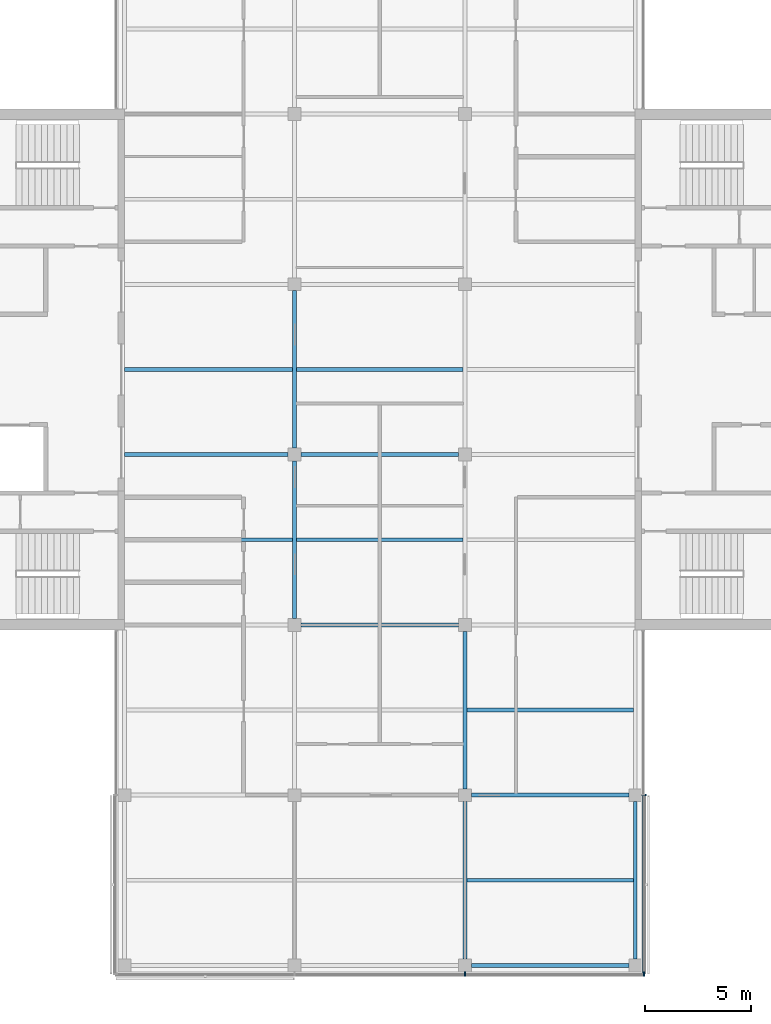
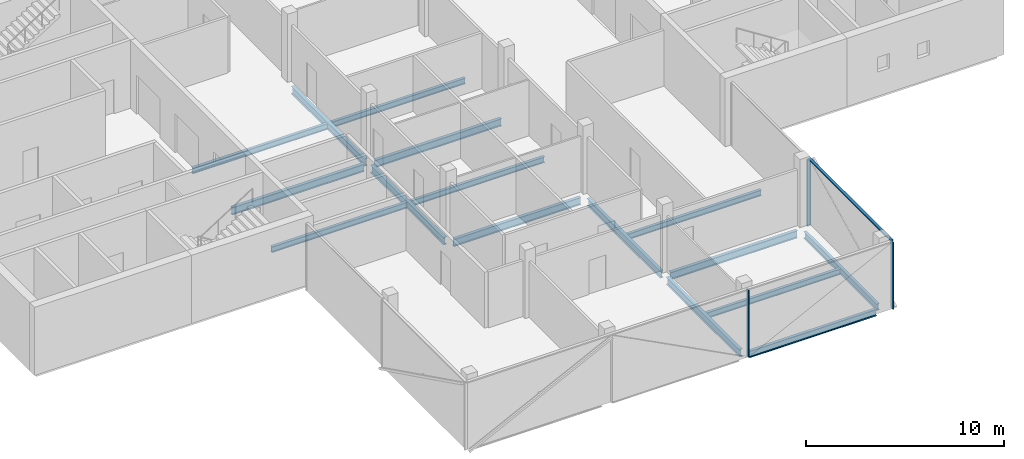
# One storey, part 3 of 16: 16 beams, 4 members, 2 elements without a shape of their own.
"""IFC4 building model written with IfcOpenShell, lengths in metres."""

from ifc_helpers import new_model, si_unit, direction, frame, origin, origin_2d, place, context, subcontext, project, spatial, rectangle, i_section, extrude, material, material_profile, profile_set, type_object, element, aggregate, save


model = new_model("IFC4")

# Units and contexts
model_context = context("Model", 3, precision=1e-05, world=origin(), true_north=direction((0.0, 1.0)))
body_context = subcontext(model_context, "Body", "Model", "MODEL_VIEW")
ifc_project = project(units=[si_unit("LENGTHUNIT", "METRE"), si_unit("AREAUNIT", "SQUARE_METRE"), si_unit("VOLUMEUNIT", "CUBIC_METRE"), si_unit("PLANEANGLEUNIT", "RADIAN"), si_unit("MASSUNIT", "GRAM", prefix="KILO")], contexts=[model_context])

# Site, building, storey
site_placement = place(None, origin())
site = spatial("IfcSite", under=ifc_project, at=site_placement, CompositionType="ELEMENT")
building_placement = place(site_placement, origin())
building = spatial("IfcBuilding", under=site, at=building_placement, Name="Crosswind Convention Tower", CompositionType="ELEMENT")
storey_placement = place(building_placement, frame((0.0, 0.0, 340.699951171875)))
storey = spatial("IfcBuildingStorey", under=building, at=storey_placement, Name="L74", CompositionType="ELEMENT", Elevation=340.699951171875)

# Beams
ifc_material_1 = material(Name="Steel S355", Category="steel")
ifc_material_profile_1 = material_profile(ifc_material_1, i_section(OverallWidth=0.177734375, OverallDepth=0.406494140625, WebThickness=0.0078125, FlangeThickness=0.0126953125, FilletRadius=0.01025390625, at=origin_2d()), Name="UB 406x178x60")
ifc_profile_set_1 = profile_set([ifc_material_profile_1], Name="Steel S355")
beam_type_1 = type_object("IfcBeamType", Name="Edge beam UB 406x178x60", PredefinedType="SPANDREL", material=ifc_profile_set_1)
for number, where, z_axis, x_axis, name in (
    (1, (129.300048828125, 72.0, -0.503173828125), (1.0, 0.0, 0.0), (0.0, 1.0, 0.0), "B15 L74 edge beam 9"),
    (2, (137.0, 72.300048828125, -0.503173828125), (0.0, 1.0, 0.0), (-1.0, 0.0, 0.0), "B15 L74 edge beam 11"),
):
    element("IfcBeam", number, at=place(storey_placement, frame(where, z_axis=z_axis, x_axis=x_axis)), inside=storey, type_object=beam_type_1, Name=name, PredefinedType="SPANDREL", context=body_context, shape_type="SweptSolid", body=[
        extrude(i_section(OverallWidth=0.177734375, OverallDepth=0.406494140625, WebThickness=0.0078125, FlangeThickness=0.0126953125, FilletRadius=0.01025390625, at=origin_2d()), origin(), (0.0, 0.0, 1.0), 7.39990234375),
    ])
ifc_material_profile_2 = material_profile(ifc_material_1, i_section(OverallWidth=0.18994140625, OverallDepth=0.45361328125, WebThickness=0.008544921875, FlangeThickness=0.0126953125, FilletRadius=0.01025390625, at=origin_2d()), Name="UB 457x191x67")
ifc_profile_set_2 = profile_set([ifc_material_profile_2], Name="Steel S355")
beam_type_2 = type_object("IfcBeamType", Name="Girder UB 457x191x67", PredefinedType="BEAM", material=ifc_profile_set_2)
for number, where, z_axis, x_axis, name in (
    (3, (121.0, 88.300048828125, -0.52685546875), (0.0, 1.0, 0.0), (-1.0, 0.0, 0.0), "B1 L74 girder 5"),
    (4, (121.0, 96.300048828125, -0.52685546875), (0.0, 1.0, 0.0), (-1.0, 0.0, 0.0), "B1 L74 girder 6"),
    (5, (121.300048828125, 88.0, -0.52685546875), (1.0, 0.0, 0.0), (0.0, 1.0, 0.0), "B1 L74 girder 11"),
    (6, (121.300048828125, 96.0, -0.52685546875), (1.0, 0.0, 0.0), (0.0, 1.0, 0.0), "B1 L74 girder 12"),
    (7, (129.0, 72.300048828125, -0.52685546875), (0.0, 1.0, 0.0), (-1.0, 0.0, 0.0), "B1 L74 girder 16"),
    (8, (129.0, 80.300048828125, -0.52685546875), (0.0, 1.0, 0.0), (-1.0, 0.0, 0.0), "B1 L74 girder 17"),
    (9, (129.300048828125, 80.0, -0.52685546875), (1.0, 0.0, 0.0), (0.0, 1.0, 0.0), "B1 L74 girder 23"),
):
    element("IfcBeam", number, at=place(storey_placement, frame(where, z_axis=z_axis, x_axis=x_axis)), inside=storey, type_object=beam_type_2, Name=name, PredefinedType="BEAM", context=body_context, shape_type="SweptSolid", body=[
        extrude(i_section(OverallWidth=0.18994140625, OverallDepth=0.45361328125, WebThickness=0.008544921875, FlangeThickness=0.0126953125, FilletRadius=0.01025390625, at=origin_2d()), origin(), (0.0, 0.0, 1.0), 7.39990234375),
    ])
ifc_material_profile_3 = material_profile(ifc_material_1, i_section(OverallWidth=0.1904296875, OverallDepth=0.457275390625, WebThickness=0.009033203125, FlangeThickness=0.014404296875, FilletRadius=0.01025390625, at=origin_2d()), Name="UB 457x191x75")
ifc_profile_set_3 = profile_set([ifc_material_profile_3], Name="Steel S355")
beam_type_3 = type_object("IfcBeamType", Name="Girder at core wall UB 457x191x75", PredefinedType="BEAM", material=ifc_profile_set_3)
beam_placement = place(storey_placement, frame((113.0, 96.0, -0.528564453125), z_axis=(1.0, 0.0, 0.0), x_axis=(0.0, 1.0, 0.0)))
element("IfcBeam", 10, at=beam_placement, inside=storey, type_object=beam_type_3, Name="B22 L74 girder at core wall 2", PredefinedType="BEAM", context=body_context, shape_type="SweptSolid", body=[
    extrude(i_section(OverallWidth=0.1904296875, OverallDepth=0.457275390625, WebThickness=0.009033203125, FlangeThickness=0.014404296875, FilletRadius=0.01025390625, at=origin_2d()), origin(), (0.0, 0.0, 1.0), 7.699951171875),
])

# Curtain wall, members
ifc_material_2 = material(Name="Aluminium unitised curtain wall", Category="aluminium")
curtain_wall_type = type_object("IfcCurtainWallType", Name="OFFICE UNITISED WALL 220", PredefinedType="USERDEFINED", material=ifc_material_2)
curtain_wall_1_placement = place(storey_placement, origin())
curtain_wall_1 = element("IfcCurtainWall", 11, at=curtain_wall_1_placement, inside=storey, type_object=curtain_wall_type, Name="CW3 L74 S-TIP 1", ObjectType="UNITISED", PredefinedType="USERDEFINED")
ifc_material_3 = material(Name="Aluminium mullion", Category="aluminium")
ifc_material_profile_4 = material_profile(ifc_material_3, rectangle(XDim=0.219970703125, YDim=0.070068359375, at=origin_2d()), Name="AL 220X70")
ifc_profile_set_4 = profile_set([ifc_material_profile_4], Name="Aluminium mullion")
member_type_1 = type_object("IfcMemberType", Name="MULLION 70X220", PredefinedType="MULLION", material=ifc_profile_set_4)
member_1_placement = place(storey_placement, frame((129.0, 71.590087890625, -0.300048828125), z_axis=(0.0, 0.0, 1.0), x_axis=(0.0, -1.0, 0.0)))
member_1 = element("IfcMember", 12, at=member_1_placement, type_object=member_type_1, Name="CW3 mullion 3", PredefinedType="MULLION", context=body_context, shape_type="SweptSolid", body=[
    extrude(rectangle(XDim=0.219970703125, YDim=0.070068359375, at=origin_2d()), origin(), (0.0, 0.0, 1.0), 4.130126953125),
])
member_2_placement = place(storey_placement, frame((137.409912109375, 71.590087890625, -0.300048828125), z_axis=(0.0, 0.0, 1.0), x_axis=(0.0, -1.0, 0.0)))
member_2 = element("IfcMember", 13, at=member_2_placement, type_object=member_type_1, Name="CW3 mullion 4", PredefinedType="MULLION", context=body_context, shape_type="SweptSolid", body=[
    extrude(rectangle(XDim=0.219970703125, YDim=0.070068359375, at=origin_2d()), origin(), (0.0, 0.0, 1.0), 4.130126953125),
])
aggregate(curtain_wall_1, [member_1, member_2])

# Curtain wall, member
curtain_wall_2_placement = place(storey_placement, origin())
curtain_wall_2 = element("IfcCurtainWall", 14, at=curtain_wall_2_placement, inside=storey, type_object=curtain_wall_type, Name="CW3 L74 S-E 1", ObjectType="UNITISED", PredefinedType="USERDEFINED")
member_3_placement = place(storey_placement, frame((137.409912109375, 80.0, -0.300048828125), z_axis=(0.0, 0.0, 1.0), x_axis=(1.0, 0.0, 0.0)))
member_3 = element("IfcMember", 15, at=member_3_placement, type_object=member_type_1, Name="CW3 mullion 2", PredefinedType="MULLION", context=body_context, shape_type="SweptSolid", body=[
    extrude(rectangle(XDim=0.219970703125, YDim=0.070068359375, at=origin_2d()), origin(), (0.0, 0.0, 1.0), 4.130126953125),
])

# Beams
ifc_material_profile_5 = material_profile(ifc_material_1, i_section(OverallWidth=0.17138671875, OverallDepth=0.355712890625, WebThickness=0.00732421875, FlangeThickness=0.011474609375, FilletRadius=0.01025390625, at=origin_2d()), Name="UB 356x171x51")
ifc_profile_set_5 = profile_set([ifc_material_profile_5], Name="Steel S355")
beam_type_4 = type_object("IfcBeamType", Name="Secondary beam UB 356x171x51", PredefinedType="JOIST", material=ifc_profile_set_5)
for number, where, z_axis, x_axis, name in (
    (16, (113.0, 92.0, -0.477783203125), (1.0, 0.0, 0.0), (0.0, 1.0, 0.0), "B8 L74 secondary beam 1"),
    (17, (113.0, 100.0, -0.477783203125), (1.0, 0.0, 0.0), (0.0, 1.0, 0.0), "B8 L74 secondary beam 2"),
):
    element("IfcBeam", number, at=place(storey_placement, frame(where, z_axis=z_axis, x_axis=x_axis)), inside=storey, type_object=beam_type_4, Name=name, PredefinedType="JOIST", context=body_context, shape_type="SweptSolid", body=[
        extrude(i_section(OverallWidth=0.17138671875, OverallDepth=0.355712890625, WebThickness=0.00732421875, FlangeThickness=0.011474609375, FilletRadius=0.01025390625, at=origin_2d()), origin(), (0.0, 0.0, 1.0), 7.905029296875),
    ])
for number, where, z_axis, x_axis, name in (
    (18, (121.094970703125, 92.0, -0.477783203125), (1.0, 0.0, 0.0), (0.0, 1.0, 0.0), "B8 L74 secondary beam 10"),
    (19, (121.094970703125, 100.0, -0.477783203125), (1.0, 0.0, 0.0), (0.0, 1.0, 0.0), "B8 L74 secondary beam 11"),
):
    element("IfcBeam", number, at=place(storey_placement, frame(where, z_axis=z_axis, x_axis=x_axis)), inside=storey, type_object=beam_type_4, Name=name, PredefinedType="JOIST", context=body_context, shape_type="SweptSolid", body=[
        extrude(i_section(OverallWidth=0.17138671875, OverallDepth=0.355712890625, WebThickness=0.00732421875, FlangeThickness=0.011474609375, FilletRadius=0.01025390625, at=origin_2d()), origin(), (0.0, 0.0, 1.0), 7.81005859375),
    ])
for number, where, z_axis, x_axis, name in (
    (20, (129.094970703125, 76.0, -0.477783203125), (1.0, 0.0, 0.0), (0.0, 1.0, 0.0), "B8 L74 secondary beam 15"),
    (21, (129.094970703125, 84.0, -0.477783203125), (1.0, 0.0, 0.0), (0.0, 1.0, 0.0), "B8 L74 secondary beam 16"),
):
    element("IfcBeam", number, at=place(storey_placement, frame(where, z_axis=z_axis, x_axis=x_axis)), inside=storey, type_object=beam_type_4, Name=name, PredefinedType="JOIST", context=body_context, shape_type="SweptSolid", body=[
        extrude(i_section(OverallWidth=0.17138671875, OverallDepth=0.355712890625, WebThickness=0.00732421875, FlangeThickness=0.011474609375, FilletRadius=0.01025390625, at=origin_2d()), origin(), (0.0, 0.0, 1.0), 7.816162109375),
    ])

# Member
ifc_material_4 = material(Name="Aluminium transom", Category="aluminium")
ifc_material_profile_6 = material_profile(ifc_material_4, rectangle(XDim=0.159912109375, YDim=0.070068359375, at=origin_2d()), Name="AL 160X70")
ifc_profile_set_6 = profile_set([ifc_material_profile_6], Name="Aluminium transom")
member_type_2 = type_object("IfcMemberType", Name="TRANSOM 70X160", PredefinedType="USERDEFINED", material=ifc_profile_set_6)
member_4_placement = place(storey_placement, frame((137.409912109375, 71.625, 3.864990234375), z_axis=(0.0, 1.0, 0.0), x_axis=(-1.0, 0.0, 0.0)))
member_4 = element("IfcMember", 22, at=member_4_placement, type_object=member_type_2, Name="CW3 transom", ObjectType="TRANSOM", PredefinedType="USERDEFINED", context=body_context, shape_type="SweptSolid", body=[
    extrude(rectangle(XDim=0.159912109375, YDim=0.070068359375, at=origin_2d()), origin(), (0.0, 0.0, 1.0), 8.340087890625),
])

aggregate(curtain_wall_2, [member_3, member_4])

save(model, "model.ifc")
